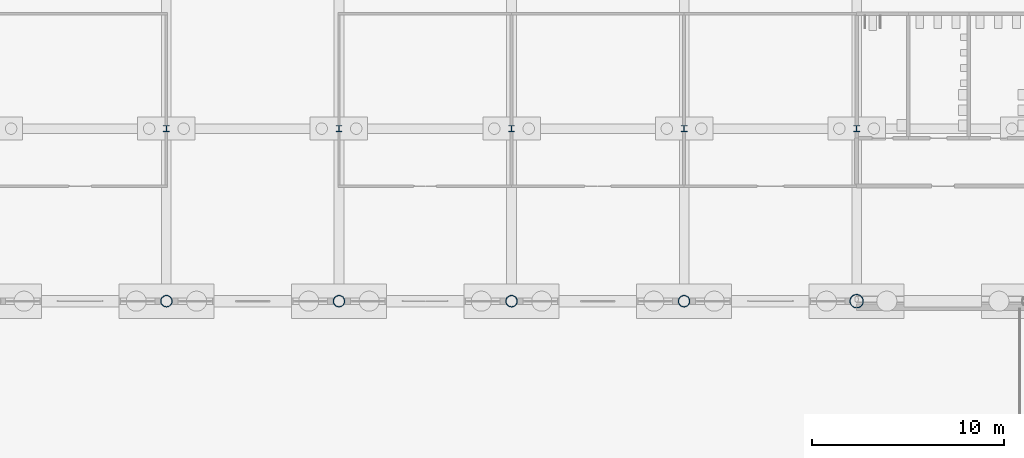
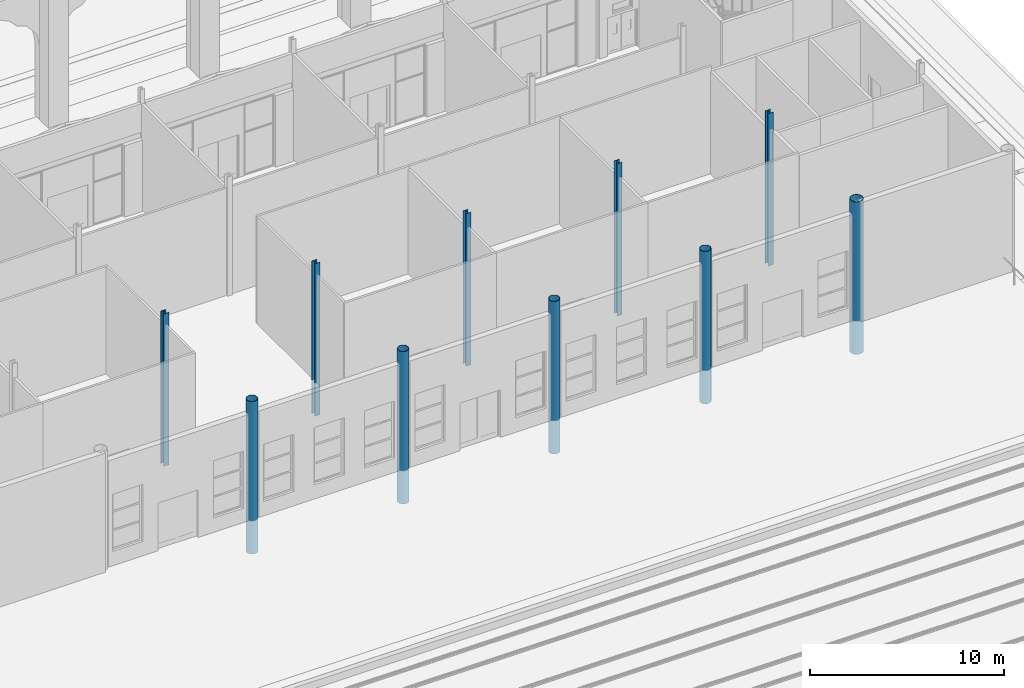
# One storey, part 29 of 250: 10 columns.
"""IFC4 building model written with IfcOpenShell, lengths in metres."""

from ifc_helpers import new_model, si_unit, direction, frame, origin, origin_2d, place, context, subcontext, project, spatial, hollow_circle, i_section, extrude, material, material_profile, profile_set, type_object, element, save


model = new_model("IFC4")

# Units and contexts
model_context = context("Model", 3, precision=1e-05, world=origin(), true_north=direction((0.0, 1.0)))
body_context = subcontext(model_context, "Body", "Model", "MODEL_VIEW")
ifc_project = project(units=[si_unit("LENGTHUNIT", "METRE"), si_unit("AREAUNIT", "SQUARE_METRE"), si_unit("VOLUMEUNIT", "CUBIC_METRE"), si_unit("PLANEANGLEUNIT", "RADIAN"), si_unit("MASSUNIT", "GRAM", prefix="KILO")], contexts=[model_context])

# Site, building, storey
site_placement = place(None, origin())
site = spatial("IfcSite", under=ifc_project, at=site_placement, CompositionType="ELEMENT")
building_placement = place(site_placement, origin())
building = spatial("IfcBuilding", under=site, at=building_placement, Name="Baradari Gate Terminus", CompositionType="ELEMENT")
storey_placement = place(building_placement, origin())
storey = spatial("IfcBuildingStorey", under=building, at=storey_placement, Name="L00", CompositionType="ELEMENT", Elevation=0.0)

# Columns
ifc_material_1 = material(Name="Steel S355", Category="steel")
ifc_material_profile_1 = material_profile(ifc_material_1, hollow_circle(Radius=0.35546875, WallThickness=0.02490234375, at=origin_2d()), Name="CHS 711x25")
ifc_profile_set_1 = profile_set([ifc_material_profile_1], Name="Steel S355")
column_type_1 = type_object("IfcColumnType", Name="Braced north shed column C10 CHS 711x25", PredefinedType="COLUMN", material=ifc_profile_set_1)
column_placement = place(storey_placement, frame((234.0, 81.0, -2.10009765625), z_axis=(0.0, 0.0, 1.0), x_axis=(1.0, 0.0, 0.0)))
element("IfcColumn", 1, at=column_placement, inside=storey, type_object=column_type_1, Name="C10 column 27-K L00", PredefinedType="COLUMN", context=body_context, shape_type="SweptSolid", body=[
    extrude(hollow_circle(Radius=0.35546875, WallThickness=0.02490234375, at=origin_2d()), origin(), (0.0, 0.0, 1.0), 9.60009765625),
])
ifc_material_2 = material(Name="Steel S355", Category="steel")
ifc_material_profile_2 = material_profile(ifc_material_2, i_section(OverallWidth=0.307373046875, OverallDepth=0.314453125, WebThickness=0.011962890625, FlangeThickness=0.018798828125, FilletRadius=0.01513671875, at=origin_2d()), Name="UC 305x305x118")
ifc_profile_set_2 = profile_set([ifc_material_profile_2], Name="Steel S355")
column_type_2 = type_object("IfcColumnType", Name="Head-house column C07 UC 305x305x118", PredefinedType="COLUMN", material=ifc_profile_set_2)
for number, where, z_axis, x_axis, name in (
    (2, (198.0, 90.0, -2.10009765625), (0.0, 0.0, 1.0), (1.0, 0.0, 0.0), "C07 column 23-L L00"),
    (3, (207.0, 90.0, -2.10009765625), (0.0, 0.0, 1.0), (1.0, 0.0, 0.0), "C07 column 24-L L00"),
    (4, (216.0, 90.0, -2.10009765625), (0.0, 0.0, 1.0), (1.0, 0.0, 0.0), "C07 column 25-L L00"),
    (5, (225.0, 90.0, -2.10009765625), (0.0, 0.0, 1.0), (1.0, 0.0, 0.0), "C07 column 26-L L00"),
    (6, (234.0, 90.0, -2.10009765625), (0.0, 0.0, 1.0), (1.0, 0.0, 0.0), "C07 column 27-L L00"),
):
    element("IfcColumn", number, at=place(storey_placement, frame(where, z_axis=z_axis, x_axis=x_axis)), inside=storey, type_object=column_type_2, Name=name, PredefinedType="COLUMN", context=body_context, shape_type="SweptSolid", body=[
        extrude(i_section(OverallWidth=0.307373046875, OverallDepth=0.314453125, WebThickness=0.011962890625, FlangeThickness=0.018798828125, FilletRadius=0.01513671875, at=origin_2d()), origin(), (0.0, 0.0, 1.0), 9.60009765625),
    ])
ifc_material_3 = material(Name="Steel S355", Category="steel")
ifc_material_profile_3 = material_profile(ifc_material_3, hollow_circle(Radius=0.304931640625, WallThickness=0.02490234375, at=origin_2d()), Name="CHS 610x25")
ifc_profile_set_3 = profile_set([ifc_material_profile_3], Name="Steel S355")
column_type_3 = type_object("IfcColumnType", Name="North shed column C12 CHS 610x25", PredefinedType="COLUMN", material=ifc_profile_set_3)
for number, where, z_axis, x_axis, name in (
    (7, (198.0, 81.0, -2.10009765625), (0.0, 0.0, 1.0), (1.0, 0.0, 0.0), "C12 column 23-K L00"),
    (8, (207.0, 81.0, -2.10009765625), (0.0, 0.0, 1.0), (1.0, 0.0, 0.0), "C12 column 24-K L00"),
    (9, (216.0, 81.0, -2.10009765625), (0.0, 0.0, 1.0), (1.0, 0.0, 0.0), "C12 column 25-K L00"),
    (10, (225.0, 81.0, -2.10009765625), (0.0, 0.0, 1.0), (1.0, 0.0, 0.0), "C12 column 26-K L00"),
):
    element("IfcColumn", number, at=place(storey_placement, frame(where, z_axis=z_axis, x_axis=x_axis)), inside=storey, type_object=column_type_3, Name=name, PredefinedType="COLUMN", context=body_context, shape_type="SweptSolid", body=[
        extrude(hollow_circle(Radius=0.304931640625, WallThickness=0.02490234375, at=origin_2d()), origin(), (0.0, 0.0, 1.0), 9.60009765625),
    ])

save(model, "model.ifc")
